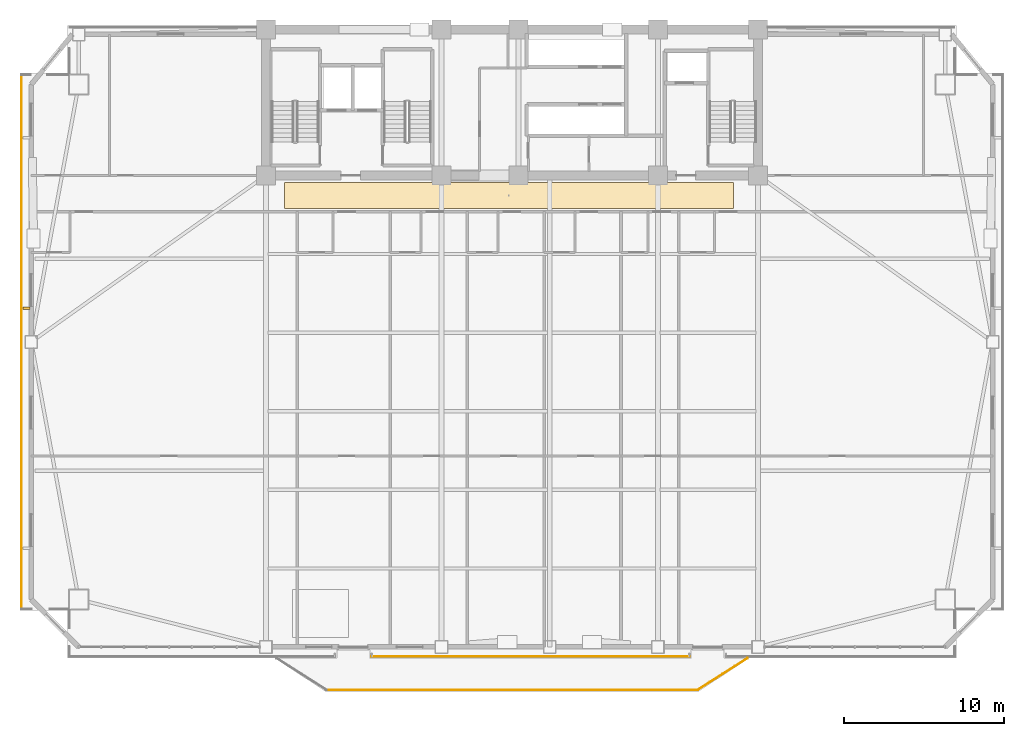
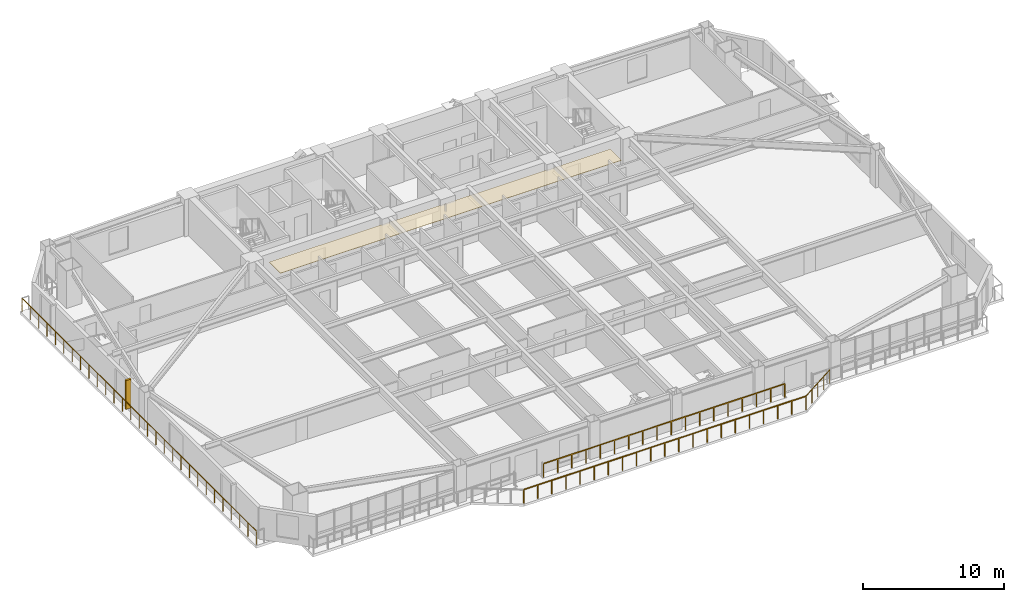
# One storey, part 14 of 17: 4 railings, 1 covering, 1 shading device.
"""IFC4 building model written with IfcOpenShell, lengths in metres."""

import ifcopenshell
import ifcopenshell.guid

model = None  # the IFC model being written
_history = None  # IfcOwnerHistory: only IFC2X3 demands one
_inside = {}  # id of a spatial element -> (the spatial element, [elements in it])
_under = {}  # id of a project, library or spatial element -> (it, [spatial elements below it])
_declared = {}  # id of a project -> (the project, [libraries it declares])
_typed = {}  # id of a type object -> (the type object, [elements of that type])
_made_of = {}  # id of a material, layer set ... -> (it, [elements and type objects made of it])


def new_model(schema):
    """Start an empty IFC model of exactly this schema.

    Asked for "IFC4X3", IfcOpenShell would pick the latest addendum, in which some entities
    have other attributes; the version numbers below select the first issue.
    IFC2X3 requires an IfcOwnerHistory on every rooted entity: one is made here for all.
    """
    global model, _history
    if schema == "IFC4X3":
        model = ifcopenshell.file(schema_version=(4, 3, 0, 0))
    else:
        model = ifcopenshell.file(schema=schema)
    _inside.clear()
    _under.clear()
    _declared.clear()
    _typed.clear()
    _made_of.clear()
    _history = None
    if model.schema == "IFC2X3":
        org = make("IfcOrganization", Name="unknown")
        user = make(
            "IfcPersonAndOrganization",
            ThePerson=make("IfcPerson", FamilyName="unknown"),
            TheOrganization=org,
        )
        app = make(
            "IfcApplication",
            ApplicationDeveloper=org,
            Version="unknown",
            ApplicationFullName="unknown",
            ApplicationIdentifier="unknown",
        )
        _history = make(
            "IfcOwnerHistory",
            OwningUser=user,
            OwningApplication=app,
            ChangeAction="ADDED",
            CreationDate=0,
        )
    return model


def make(cls, **values):
    """One entity of the class cls with the attributes given. An attribute that is None is left unset."""
    return model.create_entity(
        cls, **{name: value for name, value in values.items() if value is not None}
    )


def rooted(cls, **values):
    """An entity with a GlobalId (a new one), such as an element, a storey or a relation."""
    return make(cls, GlobalId=ifcopenshell.guid.new(), OwnerHistory=_history, **values)


def si_unit(unit_type, name, prefix=None):
    """IfcSIUnit, for example si_unit("LENGTHUNIT", "METRE", prefix="MILLI")."""
    return make("IfcSIUnit", UnitType=unit_type, Prefix=prefix, Name=name)


def assignment(units):
    """IfcUnitAssignment: the units of a project."""
    return None if units is None else make("IfcUnitAssignment", Units=units)


def point(xyz):
    """IfcCartesianPoint."""
    return None if xyz is None else make("IfcCartesianPoint", Coordinates=xyz)


def direction(xyz):
    """IfcDirection."""
    return None if xyz is None else make("IfcDirection", DirectionRatios=xyz)


def frame(location, z_axis=None, x_axis=None):
    """IfcAxis2Placement3D, a coordinate frame: its origin and axes. An axis left out is left unset."""
    return make(
        "IfcAxis2Placement3D",
        Location=point(location),
        Axis=direction(z_axis),
        RefDirection=direction(x_axis),
    )


def frame_2d(location, x_axis=None):
    """IfcAxis2Placement2D, a coordinate frame in the plane: its origin and x axis."""
    return make(
        "IfcAxis2Placement2D", Location=point(location), RefDirection=direction(x_axis)
    )


def origin():
    """The frame at (0, 0, 0) with its axes left unset."""
    return frame((0.0, 0.0, 0.0))


def origin_2d():
    """The frame at (0, 0) in the plane with its x axis left unset."""
    return frame_2d((0.0, 0.0))


def place(relative_to, where):
    """IfcLocalPlacement: puts the frame where relative to a parent placement (None: the world)."""
    return make(
        "IfcLocalPlacement", PlacementRelTo=relative_to, RelativePlacement=where
    )


def context(
    kind, dimensions, precision=None, world=None, true_north=None, identifier=None
):
    """IfcGeometricRepresentationContext, for example the 3D "Model" context."""
    return make(
        "IfcGeometricRepresentationContext",
        ContextIdentifier=identifier,
        ContextType=kind,
        CoordinateSpaceDimension=dimensions,
        Precision=precision,
        WorldCoordinateSystem=world,
        TrueNorth=true_north,
    )


def subcontext(parent, identifier, kind, view, scale=None):
    """IfcGeometricRepresentationSubContext, for example "Body" below "Model"."""
    return make(
        "IfcGeometricRepresentationSubContext",
        ContextIdentifier=identifier,
        ContextType=kind,
        ParentContext=parent,
        TargetScale=scale,
        TargetView=view,
    )


def project(units=None, contexts=None):
    """IfcProject with its units and contexts."""
    return rooted(
        "IfcProject",
        Name="project",
        RepresentationContexts=contexts,
        UnitsInContext=assignment(units),
    )


def spatial(cls, under=None, at=None, **own):
    """A site, building, storey or space (cls), placed at a placement, below another one or the project."""
    s = rooted(cls, ObjectPlacement=at, **own)
    if under is not None:
        _under.setdefault(under.id(), (under, []))[1].append(s)
    return s


def polyline(points):
    """IfcPolyline through the points."""
    return make("IfcPolyline", Points=[point(p) for p in points])


def profile(cls, at=None, kind="AREA", **sizes):
    """A parametric profile (cls). Its sizes go by their IFC names, for example OverallWidth=200.0."""
    return make(cls, ProfileType=kind, Position=at, **sizes)


def rectangle(**sizes):
    """IfcRectangleProfileDef."""
    return profile("IfcRectangleProfileDef", **sizes)


def outline(outer, holes=None, kind="AREA"):
    """IfcArbitraryClosedProfileDef: a profile drawn as a closed curve; with holes, ...WithVoids."""
    if holes is None:
        return make("IfcArbitraryClosedProfileDef", ProfileType=kind, OuterCurve=outer)
    return make(
        "IfcArbitraryProfileDefWithVoids",
        ProfileType=kind,
        OuterCurve=outer,
        InnerCurves=holes,
    )


def extrude(swept, where, along, depth):
    """IfcExtrudedAreaSolid: the profile swept, set in the frame where, extruded along a direction by depth."""
    return make(
        "IfcExtrudedAreaSolid",
        SweptArea=swept,
        Position=where,
        ExtrudedDirection=direction(along),
        Depth=depth,
    )


def shape(context_of_items, identifier, shape_type, items):
    """IfcShapeRepresentation: the items that make up one representation, for example the "Body"."""
    return make(
        "IfcShapeRepresentation",
        ContextOfItems=context_of_items,
        RepresentationIdentifier=identifier,
        RepresentationType=shape_type,
        Items=items,
    )


def source(mapping_origin, context_of_items, identifier, shape_type, items):
    """IfcRepresentationMap: a shape defined once, which mapped items show again and again."""
    return make(
        "IfcRepresentationMap",
        MappingOrigin=mapping_origin,
        MappedRepresentation=shape(context_of_items, identifier, shape_type, items),
    )


def transform(
    local_origin,
    x_axis=None,
    y_axis=None,
    z_axis=None,
    scale=None,
    scale2=None,
    scale3=None,
    uniform=True,
):
    """IfcCartesianTransformationOperator3D, or its non-uniform kind. x_axis, y_axis, z_axis: its Axis1, 2, 3."""
    if uniform:
        return make(
            "IfcCartesianTransformationOperator3D",
            Axis1=direction(x_axis),
            Axis2=direction(y_axis),
            LocalOrigin=point(local_origin),
            Scale=scale,
            Axis3=direction(z_axis),
        )
    return make(
        "IfcCartesianTransformationOperator3DnonUniform",
        Axis1=direction(x_axis),
        Axis2=direction(y_axis),
        LocalOrigin=point(local_origin),
        Scale=scale,
        Axis3=direction(z_axis),
        Scale2=scale2,
        Scale3=scale3,
    )


def mapped(mapping_source, mapping_target):
    """IfcMappedItem: shows the shape of a source again, moved by a transform."""
    return make(
        "IfcMappedItem", MappingSource=mapping_source, MappingTarget=mapping_target
    )


def material(Name=None, Category=None):
    """IfcMaterial."""
    return make("IfcMaterial", Name=Name, Category=Category)


def layer(
    of_material, thickness, ventilated=None, Name=None, Category=None, Priority=None
):
    """IfcMaterialLayer: one layer of a wall or slab, of a material (None: an air gap)."""
    return make(
        "IfcMaterialLayer",
        Material=of_material,
        LayerThickness=thickness,
        IsVentilated=ventilated,
        Name=Name,
        Category=Category,
        Priority=Priority,
    )


def layer_set(layers, Name=None):
    """IfcMaterialLayerSet."""
    return make("IfcMaterialLayerSet", MaterialLayers=layers, LayerSetName=Name)


def made_of(thing, what):
    """Note that an element or type object is made of a material, layer set ...; save() writes the relation."""
    if what is not None:
        _made_of.setdefault(what.id(), (what, []))[1].append(thing)
    return thing


def type_object(cls, material=None, **own):
    """A type object (cls), such as IfcWallType, which elements share."""
    return made_of(rooted(cls, **own), material)


def element(
    cls,
    number,
    at=None,
    inside=None,
    cuts=None,
    type_object=None,
    material=None,
    context=None,
    identifier="Body",
    shape_type=None,
    held_by="IfcProductDefinitionShape",
    body=None,
    shapes=None,
    **own,
):
    """One element of the class cls, such as IfcWall. Its Tag is "e" and its number.

    at: its placement. inside: the storey or other place that contains it. cuts: it is an
    opening in that element (IfcRelVoidsElement). A single representation is given by context,
    identifier, shape_type and body (its items); several are given by shapes. held_by: the class
    of the entity that holds the representations. save() writes the other relations.
    """
    e = rooted(cls, Tag="e%d" % number, ObjectPlacement=at, **own)
    if body is not None:
        shapes = [shape(context, identifier, shape_type, body)]
    if shapes is not None:
        e.Representation = make(held_by, Representations=shapes)
    if inside is not None:
        _inside.setdefault(inside.id(), (inside, []))[1].append(e)
    if cuts is not None:
        rooted(
            "IfcRelVoidsElement", RelatingBuildingElement=cuts, RelatedOpeningElement=e
        )
    if type_object is not None:
        _typed.setdefault(type_object.id(), (type_object, []))[1].append(e)
    return made_of(e, material)


def aggregate(whole, parts):
    """IfcRelAggregates: a whole, such as a stair, and the parts it consists of."""
    return rooted("IfcRelAggregates", RelatingObject=whole, RelatedObjects=parts)


def save(model, path):
    """Write the relations noted so far, then the file.

    IfcRelAggregates (storeys below a building ...), IfcRelContainedInSpatialStructure (elements
    in a storey), IfcRelDefinesByType, IfcRelAssociatesMaterial and IfcRelDeclares: one each for
    every whole, place, type object, material and project.
    """
    for whole, parts in _under.values():
        aggregate(whole, parts)
    for where, things in _inside.values():
        rooted(
            "IfcRelContainedInSpatialStructure",
            RelatedElements=things,
            RelatingStructure=where,
        )
    for kind, things in _typed.values():
        rooted("IfcRelDefinesByType", RelatedObjects=things, RelatingType=kind)
    for what, things in _made_of.values():
        rooted("IfcRelAssociatesMaterial", RelatedObjects=things, RelatingMaterial=what)
    for by, libraries in _declared.values():
        rooted("IfcRelDeclares", RelatingContext=by, RelatedDefinitions=libraries)
    model.write(path)


model = new_model("IFC4")

# Units and contexts
model_context = context("Model", 3, precision=1e-05, world=origin(), true_north=direction((0.0, 1.0)))
body_context = subcontext(model_context, "Body", "Model", "MODEL_VIEW")
ifc_project = project(units=[si_unit("LENGTHUNIT", "METRE"), si_unit("AREAUNIT", "SQUARE_METRE"), si_unit("VOLUMEUNIT", "CUBIC_METRE"), si_unit("PLANEANGLEUNIT", "RADIAN"), si_unit("MASSUNIT", "GRAM", prefix="KILO")], contexts=[model_context])

# Site, building, storey
site_placement = place(None, origin())
site = spatial("IfcSite", under=ifc_project, at=site_placement, CompositionType="ELEMENT")
building_placement = place(site_placement, origin())
building = spatial("IfcBuilding", under=site, at=building_placement, Name="Giltprow Tower", CompositionType="ELEMENT")
storey_placement = place(building_placement, frame((0.0, 0.0, 141.199951171875)))
storey = spatial("IfcBuildingStorey", under=building, at=storey_placement, Name="L34", CompositionType="ELEMENT", Elevation=141.199951171875)

# Covering
ifc_material_1 = material(Name="Painted gypsum board", Category="gypsum")
ifc_layer = layer(ifc_material_1, 0.030029296875, Name="Painted gypsum board")
ifc_layer_set = layer_set([ifc_layer], Name="Painted gypsum board")
covering_type = type_object("IfcCoveringType", Name="COV-CLG-GYPSUM", PredefinedType="CEILING", material=ifc_layer_set)
covering_placement = place(storey_placement, frame((0.0, 0.0, 2.6201171875)))
element("IfcCovering", 1, at=covering_placement, inside=storey, type_object=covering_type, Name="L34 Hotel Corridor Gypsum Ceiling", PredefinedType="CEILING", context=body_context, shape_type="SweptSolid", body=[
    extrude(outline(polyline([(21.0, 35.39990234375), (49.0, 35.39990234375), (49.0, 37.0), (21.0, 37.0), (21.0, 35.39990234375)])), origin(), (0.0, 0.0, 1.0), 0.030029296875),
])

# Railings
ifc_material_2 = material(Name="Anodized bronze", Category="metal")
railing_type = type_object("IfcRailingType", Name="RAIL-BALC-GUARD-1200", PredefinedType="BALUSTRADE", material=ifc_material_2)
railing_1_placement = place(storey_placement, frame((23.6201171875, 5.364990234375, 0.0)))
element("IfcRailing", 2, at=railing_1_placement, inside=storey, type_object=railing_type, Name="L34 Waterfront Balcony Balustrade Seg 2", PredefinedType="BALUSTRADE", context=body_context, shape_type="SweptSolid", body=[
    extrude(rectangle(XDim=0.048095703125, YDim=0.048095703125, at=origin_2d()), frame((0.0, 0.0, 1.17578125), z_axis=(1.0, 0.0, 0.0), x_axis=(0.0, 1.0, 0.0)), (0.0, 0.0, 1.0), 23.159912109375),
    extrude(rectangle(XDim=0.0419921875, YDim=0.0419921875, at=origin_2d()), origin(), (0.0, 0.0, 1.0), 1.15185546875),
    extrude(rectangle(XDim=0.0419921875, YDim=0.0419921875, at=origin_2d()), frame((1.157958984375, 0.0, 0.0)), (0.0, 0.0, 1.0), 1.15185546875),
    extrude(rectangle(XDim=0.0419921875, YDim=0.0419921875, at=origin_2d()), frame((2.31591796875, 0.0, 0.0)), (0.0, 0.0, 1.0), 1.15185546875),
    extrude(rectangle(XDim=0.0419921875, YDim=0.0419921875, at=origin_2d()), frame((3.473876953125, 0.0, 0.0)), (0.0, 0.0, 1.0), 1.15185546875),
    extrude(rectangle(XDim=0.0419921875, YDim=0.0419921875, at=origin_2d()), frame((4.632080078125, 0.0, 0.0)), (0.0, 0.0, 1.0), 1.15185546875),
    extrude(rectangle(XDim=0.0419921875, YDim=0.0419921875, at=origin_2d()), frame((5.7900390625, 0.0, 0.0)), (0.0, 0.0, 1.0), 1.15185546875),
    extrude(rectangle(XDim=0.0419921875, YDim=0.0419921875, at=origin_2d()), frame((6.947998046875, 0.0, 0.0)), (0.0, 0.0, 1.0), 1.15185546875),
    extrude(rectangle(XDim=0.0419921875, YDim=0.0419921875, at=origin_2d()), frame((8.10595703125, 0.0, 0.0)), (0.0, 0.0, 1.0), 1.15185546875),
    extrude(rectangle(XDim=0.0419921875, YDim=0.0419921875, at=origin_2d()), frame((9.263916015625, 0.0, 0.0)), (0.0, 0.0, 1.0), 1.15185546875),
    extrude(rectangle(XDim=0.0419921875, YDim=0.0419921875, at=origin_2d()), frame((10.421875, 0.0, 0.0)), (0.0, 0.0, 1.0), 1.15185546875),
    extrude(rectangle(XDim=0.0419921875, YDim=0.0419921875, at=origin_2d()), frame((11.580078125, 0.0, 0.0)), (0.0, 0.0, 1.0), 1.15185546875),
    extrude(rectangle(XDim=0.0419921875, YDim=0.0419921875, at=origin_2d()), frame((12.738037109375, 0.0, 0.0)), (0.0, 0.0, 1.0), 1.15185546875),
    extrude(rectangle(XDim=0.0419921875, YDim=0.0419921875, at=origin_2d()), frame((13.89599609375, 0.0, 0.0)), (0.0, 0.0, 1.0), 1.15185546875),
    extrude(rectangle(XDim=0.0419921875, YDim=0.0419921875, at=origin_2d()), frame((15.053955078125, 0.0, 0.0)), (0.0, 0.0, 1.0), 1.15185546875),
    extrude(rectangle(XDim=0.0419921875, YDim=0.0419921875, at=origin_2d()), frame((16.2119140625, 0.0, 0.0)), (0.0, 0.0, 1.0), 1.15185546875),
    extrude(rectangle(XDim=0.0419921875, YDim=0.0419921875, at=origin_2d()), frame((17.369873046875, 0.0, 0.0)), (0.0, 0.0, 1.0), 1.15185546875),
    extrude(rectangle(XDim=0.0419921875, YDim=0.0419921875, at=origin_2d()), frame((18.52783203125, 0.0, 0.0)), (0.0, 0.0, 1.0), 1.15185546875),
    extrude(rectangle(XDim=0.0419921875, YDim=0.0419921875, at=origin_2d()), frame((19.68603515625, 0.0, 0.0)), (0.0, 0.0, 1.0), 1.15185546875),
    extrude(rectangle(XDim=0.0419921875, YDim=0.0419921875, at=origin_2d()), frame((20.843994140625, 0.0, 0.0)), (0.0, 0.0, 1.0), 1.15185546875),
    extrude(rectangle(XDim=0.0419921875, YDim=0.0419921875, at=origin_2d()), frame((22.001953125, 0.0, 0.0)), (0.0, 0.0, 1.0), 1.15185546875),
    extrude(rectangle(XDim=0.0419921875, YDim=0.0419921875, at=origin_2d()), frame((23.159912109375, 0.0, 0.0)), (0.0, 0.0, 1.0), 1.15185546875),
])
railing_2_placement = place(storey_placement, frame((46.780029296875, 5.364990234375, 0.0)))
element("IfcRailing", 3, at=railing_2_placement, inside=storey, type_object=railing_type, Name="L34 Waterfront Balcony Balustrade Seg 3", PredefinedType="BALUSTRADE", context=body_context, shape_type="SweptSolid", body=[
    extrude(rectangle(XDim=0.048095703125, YDim=0.048095703125, at=origin_2d()), frame((0.0, 0.0, 1.17578125), z_axis=(0.842755646126, 0.538296313309, 0.0), x_axis=(-0.538296313309, 0.842755646126, 0.0)), (0.0, 0.0, 1.0), 3.67822265625),
    extrude(rectangle(XDim=0.0419921875, YDim=0.0419921875, at=origin_2d()), origin(), (0.0, 0.0, 1.0), 1.15185546875),
    extrude(rectangle(XDim=0.0419921875, YDim=0.0419921875, at=origin_2d()), frame((0.77490234375, 0.4951171875, 0.0)), (0.0, 0.0, 1.0), 1.15185546875),
    extrude(rectangle(XDim=0.0419921875, YDim=0.0419921875, at=origin_2d()), frame((1.5498046875, 0.989990234375, 0.0)), (0.0, 0.0, 1.0), 1.15185546875),
    extrude(rectangle(XDim=0.0419921875, YDim=0.0419921875, at=origin_2d()), frame((2.324951171875, 1.48486328125, 0.0)), (0.0, 0.0, 1.0), 1.15185546875),
    extrude(rectangle(XDim=0.0419921875, YDim=0.0419921875, at=origin_2d()), frame((3.099853515625, 1.97998046875, 0.0)), (0.0, 0.0, 1.0), 1.15185546875),
])
railing_3_placement = place(storey_placement, frame((4.614013671875, 10.408935546875, 0.0)))
element("IfcRailing", 4, at=railing_3_placement, inside=storey, type_object=railing_type, Name="L34 Corner Apron Edge Balustrade 5", PredefinedType="BALUSTRADE", context=body_context, shape_type="SweptSolid", body=[
    extrude(rectangle(XDim=0.048095703125, YDim=0.048095703125, at=origin_2d()), frame((0.0, 0.0, 1.17578125), z_axis=(0.0, 1.0, 0.0), x_axis=(-1.0, 0.0, 0.0)), (0.0, 0.0, 1.0), 33.324951171875),
    extrude(rectangle(XDim=0.0419921875, YDim=0.0419921875, at=origin_2d()), origin(), (0.0, 0.0, 1.0), 1.15185546875),
    extrude(rectangle(XDim=0.0419921875, YDim=0.0419921875, at=origin_2d()), frame((0.0, 1.190185546875, 0.0)), (0.0, 0.0, 1.0), 1.15185546875),
    extrude(rectangle(XDim=0.0419921875, YDim=0.0419921875, at=origin_2d()), frame((0.0, 2.38037109375, 0.0)), (0.0, 0.0, 1.0), 1.15185546875),
    extrude(rectangle(XDim=0.0419921875, YDim=0.0419921875, at=origin_2d()), frame((0.0, 3.570556640625, 0.0)), (0.0, 0.0, 1.0), 1.15185546875),
    extrude(rectangle(XDim=0.0419921875, YDim=0.0419921875, at=origin_2d()), frame((0.0, 4.7607421875, 0.0)), (0.0, 0.0, 1.0), 1.15185546875),
    extrude(rectangle(XDim=0.0419921875, YDim=0.0419921875, at=origin_2d()), frame((0.0, 5.950927734375, 0.0)), (0.0, 0.0, 1.0), 1.15185546875),
    extrude(rectangle(XDim=0.0419921875, YDim=0.0419921875, at=origin_2d()), frame((0.0, 7.14111328125, 0.0)), (0.0, 0.0, 1.0), 1.15185546875),
    extrude(rectangle(XDim=0.0419921875, YDim=0.0419921875, at=origin_2d()), frame((0.0, 8.331298828125, 0.0)), (0.0, 0.0, 1.0), 1.15185546875),
    extrude(rectangle(XDim=0.0419921875, YDim=0.0419921875, at=origin_2d()), frame((0.0, 9.521484375, 0.0)), (0.0, 0.0, 1.0), 1.15185546875),
    extrude(rectangle(XDim=0.0419921875, YDim=0.0419921875, at=origin_2d()), frame((0.0, 10.711669921875, 0.0)), (0.0, 0.0, 1.0), 1.15185546875),
    extrude(rectangle(XDim=0.0419921875, YDim=0.0419921875, at=origin_2d()), frame((0.0, 11.90185546875, 0.0)), (0.0, 0.0, 1.0), 1.15185546875),
    extrude(rectangle(XDim=0.0419921875, YDim=0.0419921875, at=origin_2d()), frame((0.0, 13.092041015625, 0.0)), (0.0, 0.0, 1.0), 1.15185546875),
    extrude(rectangle(XDim=0.0419921875, YDim=0.0419921875, at=origin_2d()), frame((0.0, 14.2822265625, 0.0)), (0.0, 0.0, 1.0), 1.15185546875),
    extrude(rectangle(XDim=0.0419921875, YDim=0.0419921875, at=origin_2d()), frame((0.0, 15.472412109375, 0.0)), (0.0, 0.0, 1.0), 1.15185546875),
    extrude(rectangle(XDim=0.0419921875, YDim=0.0419921875, at=origin_2d()), frame((0.0, 16.66259765625, 0.0)), (0.0, 0.0, 1.0), 1.15185546875),
    extrude(rectangle(XDim=0.0419921875, YDim=0.0419921875, at=origin_2d()), frame((0.0, 17.8525390625, 0.0)), (0.0, 0.0, 1.0), 1.15185546875),
    extrude(rectangle(XDim=0.0419921875, YDim=0.0419921875, at=origin_2d()), frame((0.0, 19.042724609375, 0.0)), (0.0, 0.0, 1.0), 1.15185546875),
    extrude(rectangle(XDim=0.0419921875, YDim=0.0419921875, at=origin_2d()), frame((0.0, 20.23291015625, 0.0)), (0.0, 0.0, 1.0), 1.15185546875),
    extrude(rectangle(XDim=0.0419921875, YDim=0.0419921875, at=origin_2d()), frame((0.0, 21.423095703125, 0.0)), (0.0, 0.0, 1.0), 1.15185546875),
    extrude(rectangle(XDim=0.0419921875, YDim=0.0419921875, at=origin_2d()), frame((0.0, 22.61328125, 0.0)), (0.0, 0.0, 1.0), 1.15185546875),
    extrude(rectangle(XDim=0.0419921875, YDim=0.0419921875, at=origin_2d()), frame((0.0, 23.803466796875, 0.0)), (0.0, 0.0, 1.0), 1.15185546875),
    extrude(rectangle(XDim=0.0419921875, YDim=0.0419921875, at=origin_2d()), frame((0.0, 24.99365234375, 0.0)), (0.0, 0.0, 1.0), 1.15185546875),
    extrude(rectangle(XDim=0.0419921875, YDim=0.0419921875, at=origin_2d()), frame((0.0, 26.183837890625, 0.0)), (0.0, 0.0, 1.0), 1.15185546875),
    extrude(rectangle(XDim=0.0419921875, YDim=0.0419921875, at=origin_2d()), frame((0.0, 27.3740234375, 0.0)), (0.0, 0.0, 1.0), 1.15185546875),
    extrude(rectangle(XDim=0.0419921875, YDim=0.0419921875, at=origin_2d()), frame((0.0, 28.564208984375, 0.0)), (0.0, 0.0, 1.0), 1.15185546875),
    extrude(rectangle(XDim=0.0419921875, YDim=0.0419921875, at=origin_2d()), frame((0.0, 29.75439453125, 0.0)), (0.0, 0.0, 1.0), 1.15185546875),
    extrude(rectangle(XDim=0.0419921875, YDim=0.0419921875, at=origin_2d()), frame((0.0, 30.944580078125, 0.0)), (0.0, 0.0, 1.0), 1.15185546875),
    extrude(rectangle(XDim=0.0419921875, YDim=0.0419921875, at=origin_2d()), frame((0.0, 32.134765625, 0.0)), (0.0, 0.0, 1.0), 1.15185546875),
    extrude(rectangle(XDim=0.0419921875, YDim=0.0419921875, at=origin_2d()), frame((0.0, 33.324951171875, 0.0)), (0.0, 0.0, 1.0), 1.15185546875),
])
railing_4_placement = place(storey_placement, frame((46.25, 7.445068359375, 0.0)))
element("IfcRailing", 5, at=railing_4_placement, inside=storey, type_object=railing_type, Name="L34 Corner Apron Edge Balustrade 22", PredefinedType="BALUSTRADE", context=body_context, shape_type="SweptSolid", body=[
    extrude(rectangle(XDim=0.048095703125, YDim=0.048095703125, at=origin_2d()), frame((0.0, 0.0, 1.17578125), z_axis=(-1.0, 0.0, 0.0), x_axis=(0.0, -1.0, 0.0)), (0.0, 0.0, 1.0), 19.800048828125),
    extrude(rectangle(XDim=0.0419921875, YDim=0.0419921875, at=origin_2d()), origin(), (0.0, 0.0, 1.0), 1.15185546875),
    extrude(rectangle(XDim=0.0419921875, YDim=0.0419921875, at=origin_2d()), frame((-1.164794921875, 0.0, 0.0)), (0.0, 0.0, 1.0), 1.15185546875),
    extrude(rectangle(XDim=0.0419921875, YDim=0.0419921875, at=origin_2d()), frame((-2.329345703125, 0.0, 0.0)), (0.0, 0.0, 1.0), 1.15185546875),
    extrude(rectangle(XDim=0.0419921875, YDim=0.0419921875, at=origin_2d()), frame((-3.494140625, 0.0, 0.0)), (0.0, 0.0, 1.0), 1.15185546875),
    extrude(rectangle(XDim=0.0419921875, YDim=0.0419921875, at=origin_2d()), frame((-4.658935546875, 0.0, 0.0)), (0.0, 0.0, 1.0), 1.15185546875),
    extrude(rectangle(XDim=0.0419921875, YDim=0.0419921875, at=origin_2d()), frame((-5.823486328125, 0.0, 0.0)), (0.0, 0.0, 1.0), 1.15185546875),
    extrude(rectangle(XDim=0.0419921875, YDim=0.0419921875, at=origin_2d()), frame((-6.98828125, 0.0, 0.0)), (0.0, 0.0, 1.0), 1.15185546875),
    extrude(rectangle(XDim=0.0419921875, YDim=0.0419921875, at=origin_2d()), frame((-8.153076171875, 0.0, 0.0)), (0.0, 0.0, 1.0), 1.15185546875),
    extrude(rectangle(XDim=0.0419921875, YDim=0.0419921875, at=origin_2d()), frame((-9.317626953125, 0.0, 0.0)), (0.0, 0.0, 1.0), 1.15185546875),
    extrude(rectangle(XDim=0.0419921875, YDim=0.0419921875, at=origin_2d()), frame((-10.482421875, 0.0, 0.0)), (0.0, 0.0, 1.0), 1.15185546875),
    extrude(rectangle(XDim=0.0419921875, YDim=0.0419921875, at=origin_2d()), frame((-11.64697265625, 0.0, 0.0)), (0.0, 0.0, 1.0), 1.15185546875),
    extrude(rectangle(XDim=0.0419921875, YDim=0.0419921875, at=origin_2d()), frame((-12.811767578125, 0.0, 0.0)), (0.0, 0.0, 1.0), 1.15185546875),
    extrude(rectangle(XDim=0.0419921875, YDim=0.0419921875, at=origin_2d()), frame((-13.9765625, 0.0, 0.0)), (0.0, 0.0, 1.0), 1.15185546875),
    extrude(rectangle(XDim=0.0419921875, YDim=0.0419921875, at=origin_2d()), frame((-15.14111328125, 0.0, 0.0)), (0.0, 0.0, 1.0), 1.15185546875),
    extrude(rectangle(XDim=0.0419921875, YDim=0.0419921875, at=origin_2d()), frame((-16.305908203125, 0.0, 0.0)), (0.0, 0.0, 1.0), 1.15185546875),
    extrude(rectangle(XDim=0.0419921875, YDim=0.0419921875, at=origin_2d()), frame((-17.470703125, 0.0, 0.0)), (0.0, 0.0, 1.0), 1.15185546875),
    extrude(rectangle(XDim=0.0419921875, YDim=0.0419921875, at=origin_2d()), frame((-18.63525390625, 0.0, 0.0)), (0.0, 0.0, 1.0), 1.15185546875),
    extrude(rectangle(XDim=0.0419921875, YDim=0.0419921875, at=origin_2d()), frame((-19.800048828125, 0.0, 0.0)), (0.0, 0.0, 1.0), 1.15185546875),
])

# Shading device
shading_device_type = type_object("IfcShadingDeviceType", Name="SHD-FIN-420", PredefinedType="USERDEFINED", material=ifc_material_2)
shared_shape = source(origin(), body_context, "Body", "SweptSolid", [
    extrude(rectangle(XDim=0.419921875, YDim=0.159912109375, at=origin_2d()), origin(), (0.0, 0.0, 1.0), 2.5),
])
shading_device_placement = place(storey_placement, frame((4.9140625, 29.175048828125, 0.35009765625), z_axis=(0.0, 0.0, 1.0), x_axis=(1.0, 0.0, 0.0)))
element("IfcShadingDevice", 6, at=shading_device_placement, inside=storey, type_object=shading_device_type, Name="L34 W Bronze Vertical Fin 2-1", ObjectType="FIN", PredefinedType="USERDEFINED", context=body_context, shape_type="MappedRepresentation", body=[
    mapped(shared_shape, transform((0.0, 0.0, 0.0), x_axis=(1.0, 0.0, 0.0), y_axis=(0.0, 1.0, 0.0), z_axis=(0.0, 0.0, 1.0), scale=1.0)),
])

save(model, "model.ifc")
